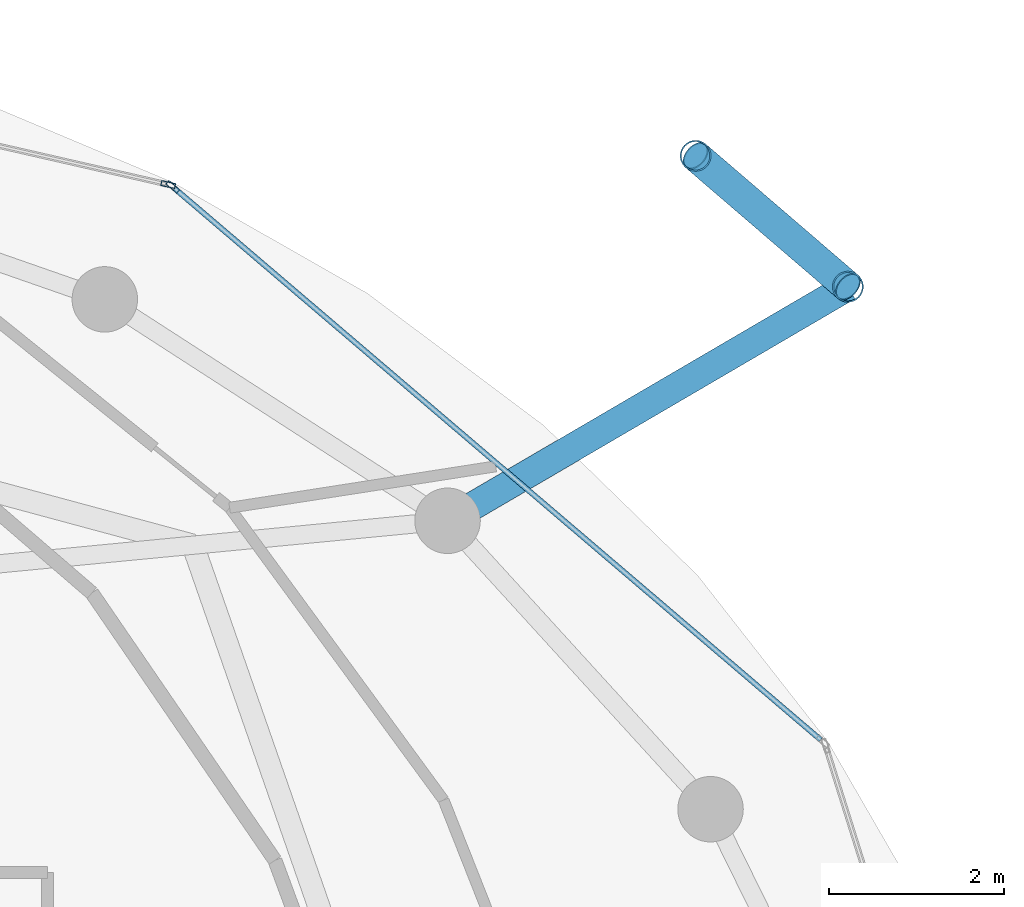
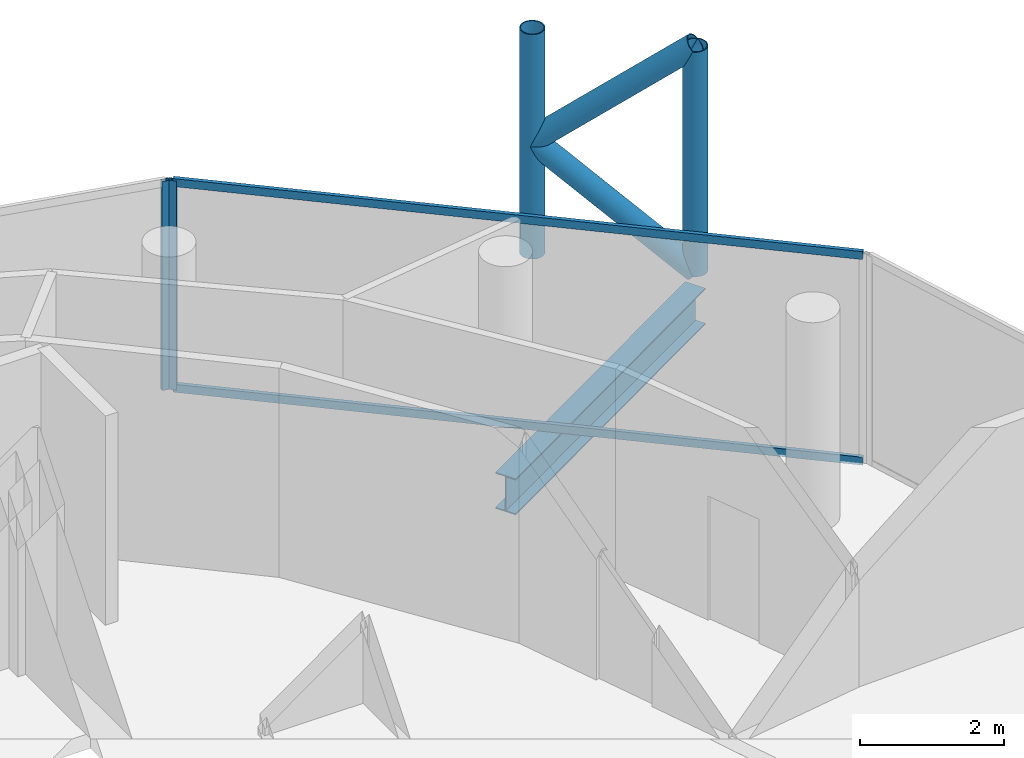
# One storey, part 18 of 24: 8 members, 1 beam, 2 elements without a shape of their own.
"""IFC4 building model written with IfcOpenShell, lengths in metres."""

from ifc_helpers import new_model, si_unit, direction, frame, origin, origin_2d, place, context, subcontext, project, spatial, hollow_rectangle, hollow_circle, i_section, extrude, material, layer, layer_set, material_profile, profile_set, type_object, element, aggregate, save


model = new_model("IFC4")

# Units and contexts
model_context = context("Model", 3, precision=1e-05, world=origin(), true_north=direction((0.0, 1.0)))
body_context = subcontext(model_context, "Body", "Model", "MODEL_VIEW")
ifc_project = project(units=[si_unit("LENGTHUNIT", "METRE"), si_unit("AREAUNIT", "SQUARE_METRE"), si_unit("VOLUMEUNIT", "CUBIC_METRE"), si_unit("PLANEANGLEUNIT", "RADIAN"), si_unit("MASSUNIT", "GRAM", prefix="KILO")], contexts=[model_context])

# Site, building, storey
site_placement = place(None, origin())
site = spatial("IfcSite", under=ifc_project, at=site_placement, CompositionType="ELEMENT")
building_placement = place(site_placement, origin())
building = spatial("IfcBuilding", under=site, at=building_placement, Name="Nuhasar Tower", CompositionType="ELEMENT")
storey_placement = place(building_placement, frame((0.0, 0.0, 289.800048828125)))
storey = spatial("IfcBuildingStorey", under=building, at=storey_placement, Name="L72", CompositionType="ELEMENT", Elevation=289.800048828125)

# Beam
ifc_material_1 = material(Name="Steel S355", Category="steel")
ifc_material_profile_1 = material_profile(ifc_material_1, i_section(OverallWidth=0.323974609375, OverallDepth=0.611083984375, WebThickness=0.0126953125, FlangeThickness=0.01904296875, at=origin_2d()), Name="W24X104")
ifc_profile_set_1 = profile_set([ifc_material_profile_1], Name="Steel S355")
beam_type = type_object("IfcBeamType", Name="BM-TIE-W24X104", PredefinedType="BEAM", material=ifc_profile_set_1)
beam_placement = place(storey_placement, frame((52.39990234375, 38.077880859375, -0.56494140625), z_axis=(0.863271521286, 0.504739814693, 0.0), x_axis=(-0.504739814693, 0.863271521286, 0.0)))
element("IfcBeam", 1, at=beam_placement, inside=storey, type_object=beam_type, Name="L72 Exoskeleton Node Tie Beam 02", PredefinedType="BEAM", context=body_context, shape_type="SweptSolid", body=[
    extrude(i_section(OverallWidth=0.323974609375, OverallDepth=0.611083984375, WebThickness=0.0126953125, FlangeThickness=0.01904296875, at=origin_2d()), origin(), (0.0, 0.0, 1.0), 5.31005859375),
])

# Curtain wall, member
ifc_material_2 = material(Name="Aluminium 6063-T6", Category="aluminium")
ifc_layer = layer(ifc_material_2, 0.18994140625)
ifc_layer_set = layer_set([ifc_layer], Name="Aluminium 6063-T6")
curtain_wall_type = type_object("IfcCurtainWallType", Name="CW-Z4-PEN", PredefinedType="NOTDEFINED", material=ifc_layer_set)
curtain_wall_1_placement = place(storey_placement, origin())
curtain_wall_1 = element("IfcCurtainWall", 2, at=curtain_wall_1_placement, inside=storey, type_object=curtain_wall_type, Name="L72 Unitised Curtain Wall 02", PredefinedType="NOTDEFINED")
ifc_material_profile_2 = material_profile(ifc_material_2, hollow_rectangle(XDim=0.06005859375, YDim=0.1650390625, WallThickness=0.0048828125, at=origin_2d()), Name="CWM-5")
ifc_profile_set_2 = profile_set([ifc_material_profile_2], Name="Aluminium 6063-T6")
member_type_1 = type_object("IfcMemberType", Name="CW-MUL-S5", PredefinedType="MULLION", material=ifc_profile_set_2)
member_1_placement = place(storey_placement, frame((49.2529296875, 41.901611328125, 0.0), z_axis=(0.0, 0.0, 1.0), x_axis=(-0.649141996205, -0.760667252327, 0.0)))
member_1 = element("IfcMember", 3, at=member_1_placement, type_object=member_type_1, Name="CW-Z4 mullion 2", PredefinedType="MULLION", context=body_context, shape_type="SweptSolid", body=[
    extrude(hollow_rectangle(XDim=0.06005859375, YDim=0.1650390625, WallThickness=0.0048828125, at=origin_2d()), origin(), (0.0, 0.0, 1.0), 3.5400390625),
])

curtain_wall_2_placement = place(storey_placement, origin())
curtain_wall_2 = element("IfcCurtainWall", 4, at=curtain_wall_2_placement, inside=storey, type_object=curtain_wall_type, Name="L72 Unitised Curtain Wall 03", PredefinedType="NOTDEFINED")
member_2_placement = place(storey_placement, frame((49.20068359375, 41.927734375, 0.0), z_axis=(0.0, 0.0, 1.0), x_axis=(-0.222889487645, -0.97484371891, 0.0)))
member_2 = element("IfcMember", 5, at=member_2_placement, type_object=member_type_1, Name="CW-Z4 mullion 1", PredefinedType="MULLION", context=body_context, shape_type="SweptSolid", body=[
    extrude(hollow_rectangle(XDim=0.06005859375, YDim=0.1650390625, WallThickness=0.0048828125, at=origin_2d()), origin(), (0.0, 0.0, 1.0), 3.5400390625),
])
aggregate(curtain_wall_2, [member_2])

# Member
ifc_material_profile_3 = material_profile(ifc_material_2, hollow_rectangle(XDim=0.06005859375, YDim=0.135009765625, WallThickness=0.00439453125, at=origin_2d()), Name="CWT-5")
ifc_profile_set_3 = profile_set([ifc_material_profile_3], Name="Aluminium 6063-T6")
member_type_2 = type_object("IfcMemberType", Name="CW-TRN-S5", PredefinedType="USERDEFINED", material=ifc_profile_set_3)
member_3_placement = place(storey_placement, frame((56.67333984375, 35.56884765625, 0.030029296875), z_axis=(-0.760660035709, 0.649150452573, 0.0), x_axis=(-0.649150452573, -0.760660035709, 0.0)))
member_3 = element("IfcMember", 6, at=member_3_placement, type_object=member_type_2, Name="CW-Z4 transom 1.1", ObjectType="TRANSOM", PredefinedType="USERDEFINED", context=body_context, shape_type="SweptSolid", body=[
    extrude(hollow_rectangle(XDim=0.06005859375, YDim=0.135009765625, WallThickness=0.00439453125, at=origin_2d()), origin(), (0.0, 0.0, 1.0), 9.725341796875),
])

member_4_placement = place(storey_placement, frame((56.67333984375, 35.56884765625, 3.510009765625), z_axis=(-0.760660035709, 0.649150452573, 0.0), x_axis=(-0.649150452573, -0.760660035709, 0.0)))
member_4 = element("IfcMember", 7, at=member_4_placement, type_object=member_type_2, Name="CW-Z4 transom 1.2", ObjectType="TRANSOM", PredefinedType="USERDEFINED", context=body_context, shape_type="SweptSolid", body=[
    extrude(hollow_rectangle(XDim=0.06005859375, YDim=0.135009765625, WallThickness=0.00439453125, at=origin_2d()), origin(), (0.0, 0.0, 1.0), 9.725341796875),
])

aggregate(curtain_wall_1, [member_1, member_3, member_4])

# Members
ifc_material_3 = material(Name="Steel S460", Category="steel")
ifc_material_profile_4 = material_profile(ifc_material_3, hollow_circle(Radius=0.177734375, WallThickness=0.015869140625, at=origin_2d()), Name="HSS355.6X15.9")
ifc_profile_set_4 = profile_set([ifc_material_profile_4], Name="Steel S460")
member_type_3 = type_object("IfcMemberType", Name="EXO-BRONZE-356", PredefinedType="BRACE", material=ifc_profile_set_4)
for number, where, z_axis, x_axis, name in (
    (8, (56.98388671875, 40.758056640625, 0.0), (0.0, 0.0, 1.0), (1.0, 0.0, 0.0), "L72 Exoskeleton Chord Column EC-02A"),
    (9, (55.239990234375, 42.257080078125, 0.0), (0.0, 0.0, 1.0), (1.0, 0.0, 0.0), "L72 Exoskeleton Chord Column EC-02B"),
):
    element("IfcMember", number, at=place(storey_placement, frame(where, z_axis=z_axis, x_axis=x_axis)), inside=storey, type_object=member_type_3, Name=name, PredefinedType="BRACE", context=body_context, shape_type="SweptSolid", body=[
        extrude(hollow_circle(Radius=0.177734375, WallThickness=0.015869140625, at=origin_2d()), origin(), (0.0, 0.0, 1.0), 3.800048828125),
    ])
member_5_placement = place(storey_placement, frame((56.98388671875, 40.758056640625, 0.0), z_axis=(-0.584625223306, 0.502533791278, 0.636924749792), x_axis=(-0.65185738425, -0.758341579104, 0.0)))
element("IfcMember", 10, at=member_5_placement, inside=storey, type_object=member_type_3, Name="L72 Bronze Diagrid Brace W1-02", PredefinedType="BRACE", context=body_context, shape_type="SweptSolid", body=[
    extrude(hollow_circle(Radius=0.177734375, WallThickness=0.015869140625, at=origin_2d()), origin(), (0.0, 0.0, 1.0), 2.98291015625),
])
member_6_placement = place(storey_placement, frame((55.239990234375, 42.257080078125, 1.89990234375), z_axis=(0.584594747408, -0.50250759472, 0.636973389203), x_axis=(0.65185738425, 0.758341579104, 0.0)))
element("IfcMember", 11, at=member_6_placement, inside=storey, type_object=member_type_3, Name="L72 Bronze Diagrid Brace W2-02", PredefinedType="BRACE", context=body_context, shape_type="SweptSolid", body=[
    extrude(hollow_circle(Radius=0.177734375, WallThickness=0.015869140625, at=origin_2d()), origin(), (0.0, 0.0, 1.0), 2.983154296875),
])

save(model, "model.ifc")
